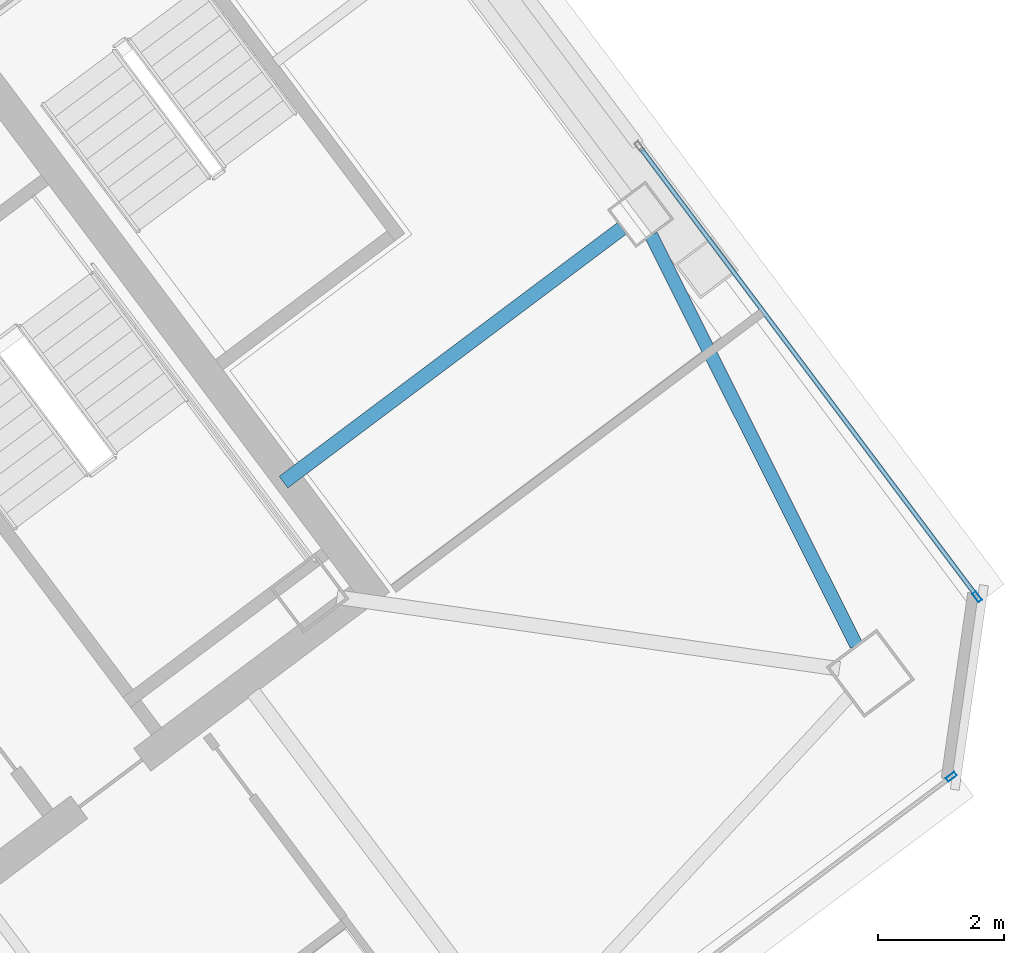
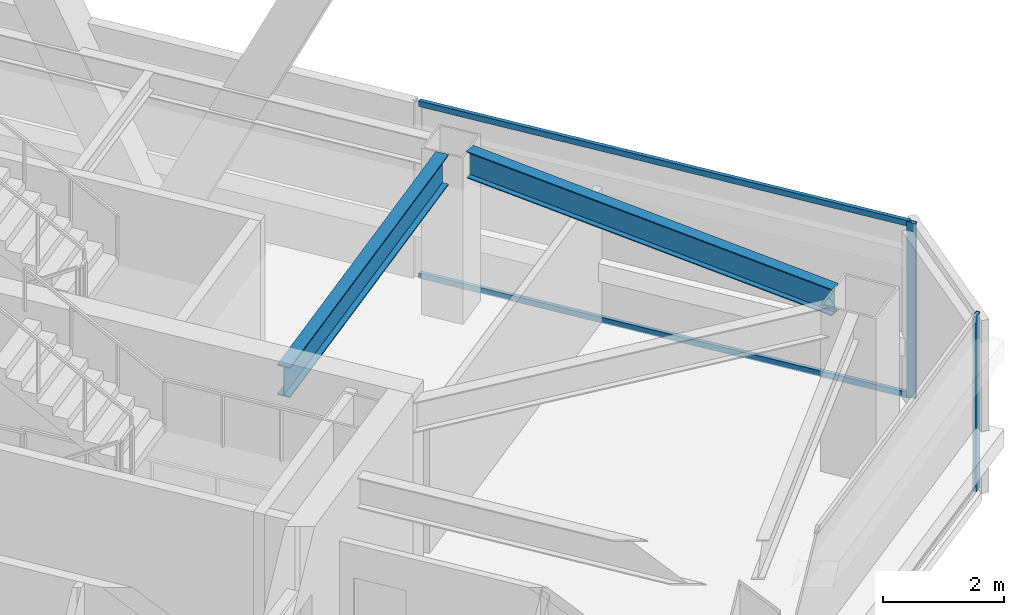
# One storey, part 28 of 47: 4 members, 2 beams, 2 elements without a shape of their own.
"""IFC4 building model written with IfcOpenShell, lengths in metres."""

from ifc_helpers import new_model, si_unit, direction, frame, origin, origin_2d, place, context, subcontext, project, spatial, hollow_rectangle, i_section, extrude, material, material_profile, profile_set, type_object, element, aggregate, save


model = new_model("IFC4")

# Units and contexts
model_context = context("Model", 3, precision=1e-05, world=origin(), true_north=direction((0.0, 1.0)))
body_context = subcontext(model_context, "Body", "Model", "MODEL_VIEW")
ifc_project = project(units=[si_unit("LENGTHUNIT", "METRE"), si_unit("AREAUNIT", "SQUARE_METRE"), si_unit("VOLUMEUNIT", "CUBIC_METRE"), si_unit("PLANEANGLEUNIT", "RADIAN"), si_unit("MASSUNIT", "GRAM", prefix="KILO")], contexts=[model_context])

# Site, building, storey
site_placement = place(None, origin())
site = spatial("IfcSite", under=ifc_project, at=site_placement, CompositionType="ELEMENT")
building_placement = place(site_placement, origin())
building = spatial("IfcBuilding", under=site, at=building_placement, Name="Tashvorn Skyway Center", CompositionType="ELEMENT")
storey_placement = place(building_placement, frame((0.0, 0.0, 204.199951171875)))
storey = spatial("IfcBuildingStorey", under=building, at=storey_placement, Name="L55", CompositionType="ELEMENT", Elevation=204.199951171875)

# Beams
ifc_material_1 = material(Name="Steel ASTM A992 Grade 50", Category="steel")
ifc_material_profile_1 = material_profile(ifc_material_1, i_section(OverallWidth=0.22998046875, OverallDepth=0.616943359375, WebThickness=0.01318359375, FlangeThickness=0.022216796875, at=origin_2d()), Name="W24X94")
ifc_profile_set_1 = profile_set([ifc_material_profile_1], Name="Steel ASTM A992 Grade 50")
beam_type_1 = type_object("IfcBeamType", Name="BM-BEAM-W24X94", PredefinedType="BEAM", material=ifc_profile_set_1)
beam_1_placement = place(storey_placement, frame((128.823974609375, 36.367919921875, 3.0615234375), z_axis=(-0.799991254452, -0.600011660554, 0.0), x_axis=(0.600011660554, -0.799991254452, 0.0)))
element("IfcBeam", 1, at=beam_1_placement, inside=storey, type_object=beam_type_1, Name="Tower 2 L55 Primary Floor Girder FC-E1", PredefinedType="BEAM", context=body_context, shape_type="SweptSolid", body=[
    extrude(i_section(OverallWidth=0.22998046875, OverallDepth=0.616943359375, WebThickness=0.01318359375, FlangeThickness=0.022216796875, at=origin_2d()), origin(), (0.0, 0.0, 1.0), 6.699951171875),
])
ifc_material_profile_2 = material_profile(ifc_material_1, i_section(OverallWidth=0.2109375, OverallDepth=0.5390625, WebThickness=0.01171875, FlangeThickness=0.018798828125, at=origin_2d()), Name="W21X73")
ifc_profile_set_2 = profile_set([ifc_material_profile_2], Name="Steel ASTM A992 Grade 50")
beam_type_2 = type_object("IfcBeamType", Name="BM-SPANDREL-W21X73", PredefinedType="SPANDREL", material=ifc_profile_set_2)
beam_2_placement = place(storey_placement, frame((132.538330078125, 29.7626953125, 3.1005859375), z_axis=(-0.447710870872, 0.894178380472, 0.0), x_axis=(-0.894178380472, -0.447710870872, 0.0)))
element("IfcBeam", 2, at=beam_2_placement, inside=storey, type_object=beam_type_2, Name="Tower 2 L55 Spandrel Beam 04", PredefinedType="SPANDREL", context=body_context, shape_type="SweptSolid", body=[
    extrude(i_section(OverallWidth=0.2109375, OverallDepth=0.5390625, WebThickness=0.01171875, FlangeThickness=0.018798828125, at=origin_2d()), origin(), (0.0, 0.0, 1.0), 7.26513671875),
])

# Curtain wall, member
ifc_material_2 = material(Name="Thermally broken bronze-anodized aluminium 6063-T6", Category="aluminium")
curtain_wall_type = type_object("IfcCurtainWallType", Name="CW-CW-Z5", PredefinedType="NOTDEFINED", material=ifc_material_2)
curtain_wall_1_placement = place(storey_placement, origin())
curtain_wall_1 = element("IfcCurtainWall", 3, at=curtain_wall_1_placement, inside=storey, type_object=curtain_wall_type, Name="Tower 2 L55 South Unitised Curtain Wall Glazing Group 1", PredefinedType="NOTDEFINED")
ifc_material_profile_3 = material_profile(ifc_material_2, hollow_rectangle(XDim=0.070068359375, YDim=0.1650390625, WallThickness=0.00390625, at=origin_2d()), Name="ALU-MULL-70x165")
ifc_profile_set_3 = profile_set([ifc_material_profile_3], Name="Thermally broken bronze-anodized aluminium 6063-T6")
member_type_1 = type_object("IfcMemberType", Name="CWM-CW-Z5", PredefinedType="MULLION", material=ifc_profile_set_3)
member_1_placement = place(storey_placement, frame((134.0439453125, 27.68310546875, 0.0), z_axis=(0.0, 0.0, 1.0), x_axis=(0.600001780418, -0.799998664683, 0.0)))
member_1 = element("IfcMember", 4, at=member_1_placement, type_object=member_type_1, Name="CW-Z5 mullion 1", PredefinedType="MULLION", context=body_context, shape_type="SweptSolid", body=[
    extrude(hollow_rectangle(XDim=0.070068359375, YDim=0.1650390625, WallThickness=0.00390625, at=origin_2d()), origin(), (0.0, 0.0, 1.0), 3.550048828125),
])
aggregate(curtain_wall_1, [member_1])

# Curtain wall, members
curtain_wall_2_placement = place(storey_placement, origin())
curtain_wall_2 = element("IfcCurtainWall", 5, at=curtain_wall_2_placement, inside=storey, type_object=curtain_wall_type, Name="Tower 2 L55 East Unitised Curtain Wall Glazing Group 2", PredefinedType="NOTDEFINED")
member_2_placement = place(storey_placement, frame((134.450927734375, 30.531982421875, 0.0), z_axis=(0.0, 0.0, 1.0), x_axis=(0.799998664683, 0.600001780418, 0.0)))
member_2 = element("IfcMember", 6, at=member_2_placement, type_object=member_type_1, Name="CW-Z5 mullion 2", PredefinedType="MULLION", context=body_context, shape_type="SweptSolid", body=[
    extrude(hollow_rectangle(XDim=0.070068359375, YDim=0.1650390625, WallThickness=0.00390625, at=origin_2d()), origin(), (0.0, 0.0, 1.0), 3.550048828125),
])
ifc_material_profile_4 = material_profile(ifc_material_2, hollow_rectangle(XDim=0.070068359375, YDim=0.114990234375, WallThickness=0.00390625, at=origin_2d()), Name="ALU-TRAN-70x115")
ifc_profile_set_4 = profile_set([ifc_material_profile_4], Name="Thermally broken bronze-anodized aluminium 6063-T6")
member_type_2 = type_object("IfcMemberType", Name="CWT-CW-Z5", PredefinedType="USERDEFINED", material=ifc_profile_set_4)
member_3_placement = place(storey_placement, frame((129.1220703125, 37.63720703125, 0.03515625), z_axis=(0.6, -0.8, 0.0), x_axis=(0.8, 0.6, 0.0)))
member_3 = element("IfcMember", 7, at=member_3_placement, type_object=member_type_2, Name="CW-Z5 transom 1.1", ObjectType="TRANSOM", PredefinedType="USERDEFINED", context=body_context, shape_type="SweptSolid", body=[
    extrude(hollow_rectangle(XDim=0.070068359375, YDim=0.114990234375, WallThickness=0.00390625, at=origin_2d()), origin(), (0.0, 0.0, 1.0), 8.846435546875),
])
member_4_placement = place(storey_placement, frame((129.1220703125, 37.63720703125, 3.51513671875), z_axis=(0.6, -0.8, 0.0), x_axis=(0.8, 0.6, 0.0)))
member_4 = element("IfcMember", 8, at=member_4_placement, type_object=member_type_2, Name="CW-Z5 transom 1.2", ObjectType="TRANSOM", PredefinedType="USERDEFINED", context=body_context, shape_type="SweptSolid", body=[
    extrude(hollow_rectangle(XDim=0.070068359375, YDim=0.114990234375, WallThickness=0.00390625, at=origin_2d()), origin(), (0.0, 0.0, 1.0), 8.846435546875),
])
aggregate(curtain_wall_2, [member_2, member_3, member_4])

save(model, "model.ifc")
